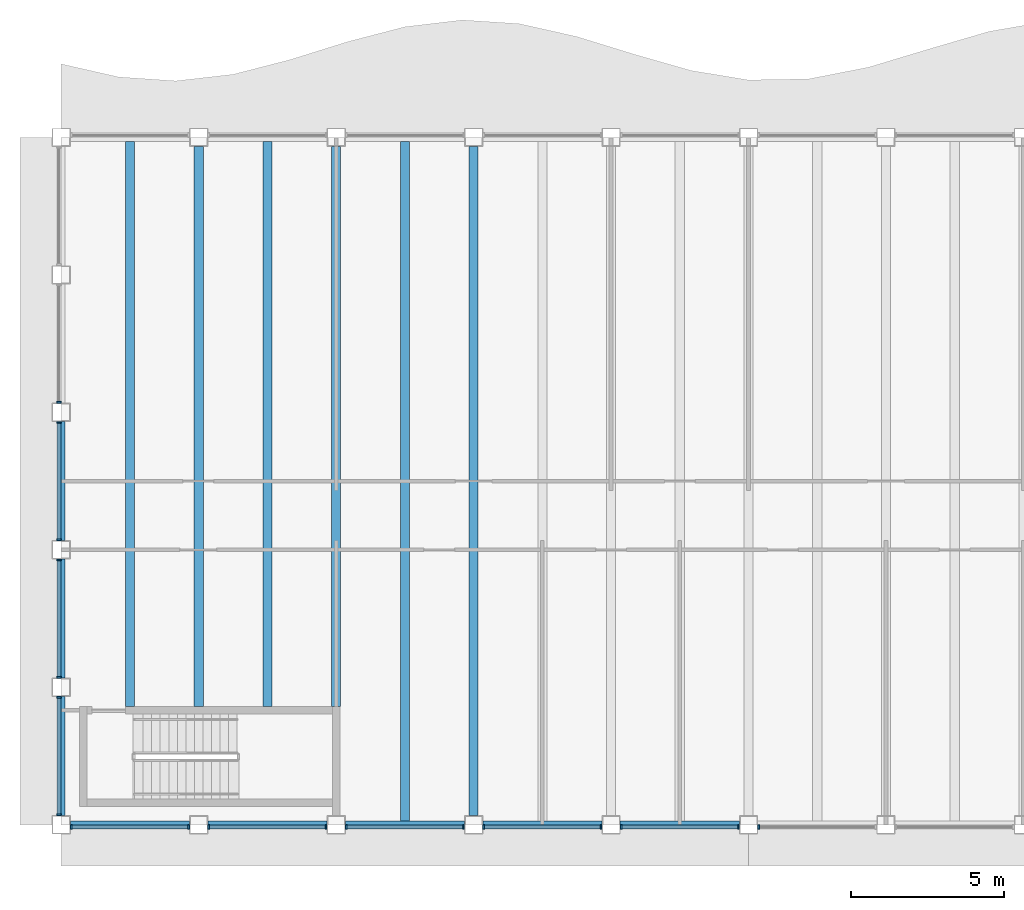
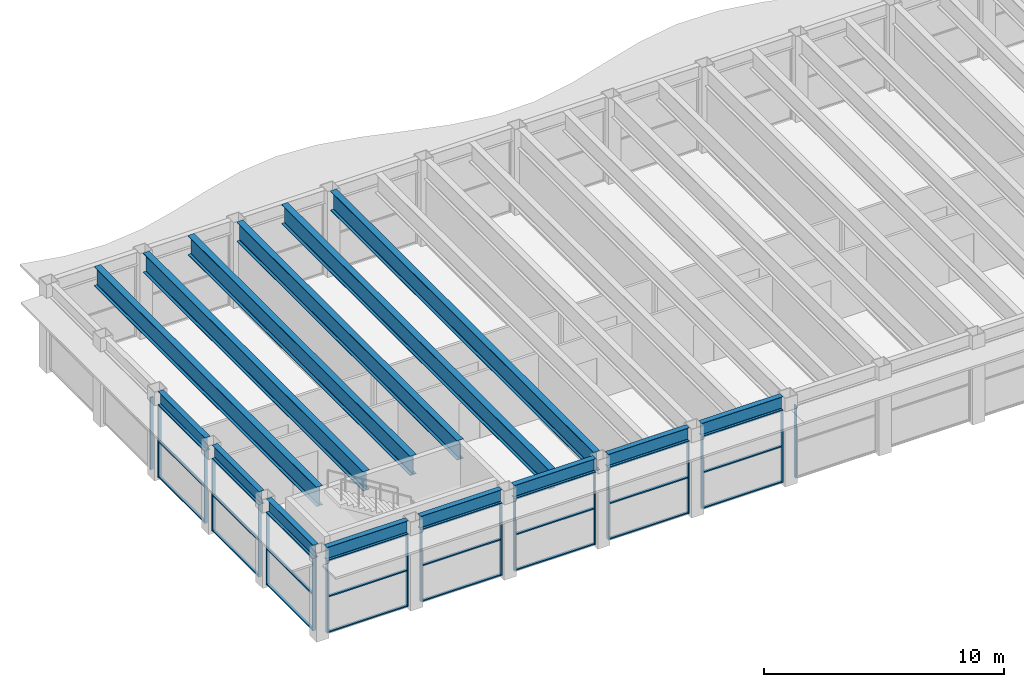
# One storey, part 2 of 14: 42 members, 14 beams, 10 elements without a shape of their own.
"""IFC4 building model written with IfcOpenShell, lengths in metres."""

from ifc_helpers import new_model, si_unit, direction, frame, origin, origin_2d, place, context, subcontext, project, spatial, rectangle, i_section, extrude, material, material_profile, profile_set, type_object, element, aggregate, save


model = new_model("IFC4")

# Units and contexts
model_context = context("Model", 3, precision=1e-05, world=origin(), true_north=direction((0.0, 1.0)))
body_context = subcontext(model_context, "Body", "Model", "MODEL_VIEW")
ifc_project = project(units=[si_unit("LENGTHUNIT", "METRE"), si_unit("AREAUNIT", "SQUARE_METRE"), si_unit("VOLUMEUNIT", "CUBIC_METRE"), si_unit("PLANEANGLEUNIT", "RADIAN"), si_unit("MASSUNIT", "GRAM", prefix="KILO")], contexts=[model_context])

# Site, building, storey
site_placement = place(None, origin())
site = spatial("IfcSite", under=ifc_project, at=site_placement, CompositionType="ELEMENT")
building_placement = place(site_placement, origin())
building = spatial("IfcBuilding", under=site, at=building_placement, Name="Sennacour Bend Tower", CompositionType="ELEMENT")
storey_placement = place(building_placement, frame((0.0, 0.0, 332.0)))
storey = spatial("IfcBuildingStorey", under=building, at=storey_placement, Name="L76", CompositionType="ELEMENT", Elevation=332.0)

# Curtain wall, members
ifc_material_1 = material(Name="Bronze anodised aluminium curtain wall with clear glass", Category="aluminium")
curtain_wall_type = type_object("IfcCurtainWallType", Name="CURTAIN WALL EXEC", PredefinedType="NOTDEFINED", material=ifc_material_1)
curtain_wall_1_placement = place(storey_placement, origin())
curtain_wall_1 = element("IfcCurtainWall", 1, at=curtain_wall_1_placement, inside=storey, type_object=curtain_wall_type, Name="Executive floor glass wall L76", PredefinedType="NOTDEFINED")
ifc_material_2 = material(Name="Aluminium 6063-T6", Category="aluminium")
ifc_material_profile_1 = material_profile(ifc_material_2, rectangle(XDim=0.14990234375, YDim=0.06005859375, at=origin_2d()), Name="Aluminium 6063-T6", Category="aluminium")
ifc_profile_set_1 = profile_set([ifc_material_profile_1], Name="Aluminium 6063-T6")
member_type_1 = type_object("IfcMemberType", Name="CW-MULLION-150X60", PredefinedType="MULLION", material=ifc_profile_set_1)
member_1_placement = place(storey_placement, frame((0.330078125, -0.074951171875, 0.0), z_axis=(0.0, 0.0, 1.0), x_axis=(0.0, 1.0, 0.0)))
member_1 = element("IfcMember", 2, at=member_1_placement, type_object=member_type_1, Name="GW3 curtain wall mullion 1", PredefinedType="MULLION", context=body_context, shape_type="SweptSolid", body=[
    extrude(rectangle(XDim=0.14990234375, YDim=0.06005859375, at=origin_2d()), origin(), (0.0, 0.0, 1.0), 3.672119140625),
])
member_2_placement = place(storey_placement, frame((4.169921875, -0.074951171875, 0.0), z_axis=(0.0, 0.0, 1.0), x_axis=(0.0, 1.0, 0.0)))
member_2 = element("IfcMember", 3, at=member_2_placement, type_object=member_type_1, Name="GW3 curtain wall mullion 2", PredefinedType="MULLION", context=body_context, shape_type="SweptSolid", body=[
    extrude(rectangle(XDim=0.14990234375, YDim=0.06005859375, at=origin_2d()), origin(), (0.0, 0.0, 1.0), 3.672119140625),
])

curtain_wall_2_placement = place(storey_placement, origin())
curtain_wall_2 = element("IfcCurtainWall", 4, at=curtain_wall_2_placement, inside=storey, type_object=curtain_wall_type, Name="Executive floor glass wall L76", PredefinedType="NOTDEFINED")
member_3_placement = place(storey_placement, frame((4.830078125, -0.074951171875, 0.0), z_axis=(0.0, 0.0, 1.0), x_axis=(0.0, 1.0, 0.0)))
member_3 = element("IfcMember", 5, at=member_3_placement, type_object=member_type_1, Name="GW3 curtain wall mullion 1", PredefinedType="MULLION", context=body_context, shape_type="SweptSolid", body=[
    extrude(rectangle(XDim=0.14990234375, YDim=0.06005859375, at=origin_2d()), origin(), (0.0, 0.0, 1.0), 3.672119140625),
])
member_4_placement = place(storey_placement, frame((8.669921875, -0.074951171875, 0.0), z_axis=(0.0, 0.0, 1.0), x_axis=(0.0, 1.0, 0.0)))
member_4 = element("IfcMember", 6, at=member_4_placement, type_object=member_type_1, Name="GW3 curtain wall mullion 2", PredefinedType="MULLION", context=body_context, shape_type="SweptSolid", body=[
    extrude(rectangle(XDim=0.14990234375, YDim=0.06005859375, at=origin_2d()), origin(), (0.0, 0.0, 1.0), 3.672119140625),
])

curtain_wall_3_placement = place(storey_placement, origin())
curtain_wall_3 = element("IfcCurtainWall", 7, at=curtain_wall_3_placement, inside=storey, type_object=curtain_wall_type, Name="Executive floor glass wall L76", PredefinedType="NOTDEFINED")
member_5_placement = place(storey_placement, frame((9.330078125, -0.074951171875, 0.0), z_axis=(0.0, 0.0, 1.0), x_axis=(0.0, 1.0, 0.0)))
member_5 = element("IfcMember", 8, at=member_5_placement, type_object=member_type_1, Name="GW3 curtain wall mullion 1", PredefinedType="MULLION", context=body_context, shape_type="SweptSolid", body=[
    extrude(rectangle(XDim=0.14990234375, YDim=0.06005859375, at=origin_2d()), origin(), (0.0, 0.0, 1.0), 3.672119140625),
])
member_6_placement = place(storey_placement, frame((13.169921875, -0.074951171875, 0.0), z_axis=(0.0, 0.0, 1.0), x_axis=(0.0, 1.0, 0.0)))
member_6 = element("IfcMember", 9, at=member_6_placement, type_object=member_type_1, Name="GW3 curtain wall mullion 2", PredefinedType="MULLION", context=body_context, shape_type="SweptSolid", body=[
    extrude(rectangle(XDim=0.14990234375, YDim=0.06005859375, at=origin_2d()), origin(), (0.0, 0.0, 1.0), 3.672119140625),
])

curtain_wall_4_placement = place(storey_placement, origin())
curtain_wall_4 = element("IfcCurtainWall", 10, at=curtain_wall_4_placement, inside=storey, type_object=curtain_wall_type, Name="Executive floor glass wall L76", PredefinedType="NOTDEFINED")
member_7_placement = place(storey_placement, frame((13.830078125, -0.074951171875, 0.0), z_axis=(0.0, 0.0, 1.0), x_axis=(0.0, 1.0, 0.0)))
member_7 = element("IfcMember", 11, at=member_7_placement, type_object=member_type_1, Name="GW3 curtain wall mullion 1", PredefinedType="MULLION", context=body_context, shape_type="SweptSolid", body=[
    extrude(rectangle(XDim=0.14990234375, YDim=0.06005859375, at=origin_2d()), origin(), (0.0, 0.0, 1.0), 3.672119140625),
])
member_8_placement = place(storey_placement, frame((17.669921875, -0.074951171875, 0.0), z_axis=(0.0, 0.0, 1.0), x_axis=(0.0, 1.0, 0.0)))
member_8 = element("IfcMember", 12, at=member_8_placement, type_object=member_type_1, Name="GW3 curtain wall mullion 2", PredefinedType="MULLION", context=body_context, shape_type="SweptSolid", body=[
    extrude(rectangle(XDim=0.14990234375, YDim=0.06005859375, at=origin_2d()), origin(), (0.0, 0.0, 1.0), 3.672119140625),
])

curtain_wall_5_placement = place(storey_placement, origin())
curtain_wall_5 = element("IfcCurtainWall", 13, at=curtain_wall_5_placement, inside=storey, type_object=curtain_wall_type, Name="Executive floor glass wall L76", PredefinedType="NOTDEFINED")
member_9_placement = place(storey_placement, frame((18.330078125, -0.074951171875, 0.0), z_axis=(0.0, 0.0, 1.0), x_axis=(0.0, 1.0, 0.0)))
member_9 = element("IfcMember", 14, at=member_9_placement, type_object=member_type_1, Name="GW3 curtain wall mullion 1", PredefinedType="MULLION", context=body_context, shape_type="SweptSolid", body=[
    extrude(rectangle(XDim=0.14990234375, YDim=0.06005859375, at=origin_2d()), origin(), (0.0, 0.0, 1.0), 3.672119140625),
])
member_10_placement = place(storey_placement, frame((22.169921875, -0.074951171875, 0.0), z_axis=(0.0, 0.0, 1.0), x_axis=(0.0, 1.0, 0.0)))
member_10 = element("IfcMember", 15, at=member_10_placement, type_object=member_type_1, Name="GW3 curtain wall mullion 2", PredefinedType="MULLION", context=body_context, shape_type="SweptSolid", body=[
    extrude(rectangle(XDim=0.14990234375, YDim=0.06005859375, at=origin_2d()), origin(), (0.0, 0.0, 1.0), 3.672119140625),
])

# Curtain wall, member
curtain_wall_6_placement = place(storey_placement, origin())
curtain_wall_6 = element("IfcCurtainWall", 16, at=curtain_wall_6_placement, inside=storey, type_object=curtain_wall_type, Name="Executive floor glass wall L76", PredefinedType="NOTDEFINED")
member_11_placement = place(storey_placement, frame((22.830078125, -0.074951171875, 0.0), z_axis=(0.0, 0.0, 1.0), x_axis=(0.0, 1.0, 0.0)))
member_11 = element("IfcMember", 17, at=member_11_placement, type_object=member_type_1, Name="GW3 curtain wall mullion 1", PredefinedType="MULLION", context=body_context, shape_type="SweptSolid", body=[
    extrude(rectangle(XDim=0.14990234375, YDim=0.06005859375, at=origin_2d()), origin(), (0.0, 0.0, 1.0), 3.672119140625),
])
aggregate(curtain_wall_6, [member_11])

curtain_wall_7_placement = place(storey_placement, origin())
curtain_wall_7 = element("IfcCurtainWall", 18, at=curtain_wall_7_placement, inside=storey, type_object=curtain_wall_type, Name="Executive floor glass wall L76", PredefinedType="NOTDEFINED")
member_12_placement = place(storey_placement, frame((-0.074951171875, 13.830078125, 0.0), z_axis=(0.0, 0.0, 1.0), x_axis=(1.0, 0.0, 0.0)))
member_12 = element("IfcMember", 19, at=member_12_placement, type_object=member_type_1, Name="GW3 curtain wall mullion 2", PredefinedType="MULLION", context=body_context, shape_type="SweptSolid", body=[
    extrude(rectangle(XDim=0.14990234375, YDim=0.06005859375, at=origin_2d()), origin(), (0.0, 0.0, 1.0), 3.672119140625),
])
aggregate(curtain_wall_7, [member_12])

# Curtain wall, members
curtain_wall_8_placement = place(storey_placement, origin())
curtain_wall_8 = element("IfcCurtainWall", 20, at=curtain_wall_8_placement, inside=storey, type_object=curtain_wall_type, Name="Executive floor glass wall L76", PredefinedType="NOTDEFINED")
member_13_placement = place(storey_placement, frame((-0.074951171875, 13.169921875, 0.0), z_axis=(0.0, 0.0, 1.0), x_axis=(1.0, 0.0, 0.0)))
member_13 = element("IfcMember", 21, at=member_13_placement, type_object=member_type_1, Name="GW3 curtain wall mullion 1", PredefinedType="MULLION", context=body_context, shape_type="SweptSolid", body=[
    extrude(rectangle(XDim=0.14990234375, YDim=0.06005859375, at=origin_2d()), origin(), (0.0, 0.0, 1.0), 3.672119140625),
])
member_14_placement = place(storey_placement, frame((-0.074951171875, 9.330078125, 0.0), z_axis=(0.0, 0.0, 1.0), x_axis=(1.0, 0.0, 0.0)))
member_14 = element("IfcMember", 22, at=member_14_placement, type_object=member_type_1, Name="GW3 curtain wall mullion 2", PredefinedType="MULLION", context=body_context, shape_type="SweptSolid", body=[
    extrude(rectangle(XDim=0.14990234375, YDim=0.06005859375, at=origin_2d()), origin(), (0.0, 0.0, 1.0), 3.672119140625),
])

curtain_wall_9_placement = place(storey_placement, origin())
curtain_wall_9 = element("IfcCurtainWall", 23, at=curtain_wall_9_placement, inside=storey, type_object=curtain_wall_type, Name="Executive floor glass wall L76", PredefinedType="NOTDEFINED")
member_15_placement = place(storey_placement, frame((-0.074951171875, 8.669921875, 0.0), z_axis=(0.0, 0.0, 1.0), x_axis=(1.0, 0.0, 0.0)))
member_15 = element("IfcMember", 24, at=member_15_placement, type_object=member_type_1, Name="GW3 curtain wall mullion 1", PredefinedType="MULLION", context=body_context, shape_type="SweptSolid", body=[
    extrude(rectangle(XDim=0.14990234375, YDim=0.06005859375, at=origin_2d()), origin(), (0.0, 0.0, 1.0), 3.672119140625),
])
member_16_placement = place(storey_placement, frame((-0.074951171875, 4.830078125, 0.0), z_axis=(0.0, 0.0, 1.0), x_axis=(1.0, 0.0, 0.0)))
member_16 = element("IfcMember", 25, at=member_16_placement, type_object=member_type_1, Name="GW3 curtain wall mullion 2", PredefinedType="MULLION", context=body_context, shape_type="SweptSolid", body=[
    extrude(rectangle(XDim=0.14990234375, YDim=0.06005859375, at=origin_2d()), origin(), (0.0, 0.0, 1.0), 3.672119140625),
])

curtain_wall_10_placement = place(storey_placement, origin())
curtain_wall_10 = element("IfcCurtainWall", 26, at=curtain_wall_10_placement, inside=storey, type_object=curtain_wall_type, Name="Executive floor glass wall L76", PredefinedType="NOTDEFINED")
member_17_placement = place(storey_placement, frame((-0.074951171875, 4.169921875, 0.0), z_axis=(0.0, 0.0, 1.0), x_axis=(1.0, 0.0, 0.0)))
member_17 = element("IfcMember", 27, at=member_17_placement, type_object=member_type_1, Name="GW3 curtain wall mullion 1", PredefinedType="MULLION", context=body_context, shape_type="SweptSolid", body=[
    extrude(rectangle(XDim=0.14990234375, YDim=0.06005859375, at=origin_2d()), origin(), (0.0, 0.0, 1.0), 3.672119140625),
])
member_18_placement = place(storey_placement, frame((-0.074951171875, 0.330078125, 0.0), z_axis=(0.0, 0.0, 1.0), x_axis=(1.0, 0.0, 0.0)))
member_18 = element("IfcMember", 28, at=member_18_placement, type_object=member_type_1, Name="GW3 curtain wall mullion 2", PredefinedType="MULLION", context=body_context, shape_type="SweptSolid", body=[
    extrude(rectangle(XDim=0.14990234375, YDim=0.06005859375, at=origin_2d()), origin(), (0.0, 0.0, 1.0), 3.672119140625),
])

# Member
ifc_material_profile_2 = material_profile(ifc_material_2, rectangle(XDim=0.1201171875, YDim=0.06005859375, at=origin_2d()), Name="Aluminium 6063-T6", Category="aluminium")
ifc_profile_set_2 = profile_set([ifc_material_profile_2], Name="Aluminium 6063-T6")
member_type_2 = type_object("IfcMemberType", Name="CW-TRANSOM-120X60", PredefinedType="USERDEFINED", material=ifc_profile_set_2)
member_19_placement = place(storey_placement, frame((0.360107421875, -0.074951171875, 0.030029296875), z_axis=(1.0, 0.0, 0.0), x_axis=(0.0, 1.0, 0.0)))
member_19 = element("IfcMember", 29, at=member_19_placement, type_object=member_type_2, Name="GW3 curtain wall transom 1.1", ObjectType="TRANSOM", PredefinedType="USERDEFINED", context=body_context, shape_type="SweptSolid", body=[
    extrude(rectangle(XDim=0.1201171875, YDim=0.06005859375, at=origin_2d()), origin(), (0.0, 0.0, 1.0), 3.77978515625),
])

member_20_placement = place(storey_placement, frame((0.360107421875, -0.074951171875, 1.8359375), z_axis=(1.0, 0.0, 0.0), x_axis=(0.0, 1.0, 0.0)))
member_20 = element("IfcMember", 30, at=member_20_placement, type_object=member_type_2, Name="GW3 curtain wall transom 1.2", ObjectType="TRANSOM", PredefinedType="USERDEFINED", context=body_context, shape_type="SweptSolid", body=[
    extrude(rectangle(XDim=0.1201171875, YDim=0.06005859375, at=origin_2d()), origin(), (0.0, 0.0, 1.0), 3.77978515625),
])

member_21_placement = place(storey_placement, frame((0.360107421875, -0.074951171875, 3.64208984375), z_axis=(1.0, 0.0, 0.0), x_axis=(0.0, 1.0, 0.0)))
member_21 = element("IfcMember", 31, at=member_21_placement, type_object=member_type_2, Name="GW3 curtain wall transom 1.3", ObjectType="TRANSOM", PredefinedType="USERDEFINED", context=body_context, shape_type="SweptSolid", body=[
    extrude(rectangle(XDim=0.1201171875, YDim=0.06005859375, at=origin_2d()), origin(), (0.0, 0.0, 1.0), 3.77978515625),
])

aggregate(curtain_wall_1, [member_1, member_2, member_19, member_20, member_21])

member_22_placement = place(storey_placement, frame((4.860107421875, -0.074951171875, 0.030029296875), z_axis=(1.0, 0.0, 0.0), x_axis=(0.0, 1.0, 0.0)))
member_22 = element("IfcMember", 32, at=member_22_placement, type_object=member_type_2, Name="GW3 curtain wall transom 1.1", ObjectType="TRANSOM", PredefinedType="USERDEFINED", context=body_context, shape_type="SweptSolid", body=[
    extrude(rectangle(XDim=0.1201171875, YDim=0.06005859375, at=origin_2d()), origin(), (0.0, 0.0, 1.0), 3.77978515625),
])

member_23_placement = place(storey_placement, frame((4.860107421875, -0.074951171875, 1.8359375), z_axis=(1.0, 0.0, 0.0), x_axis=(0.0, 1.0, 0.0)))
member_23 = element("IfcMember", 33, at=member_23_placement, type_object=member_type_2, Name="GW3 curtain wall transom 1.2", ObjectType="TRANSOM", PredefinedType="USERDEFINED", context=body_context, shape_type="SweptSolid", body=[
    extrude(rectangle(XDim=0.1201171875, YDim=0.06005859375, at=origin_2d()), origin(), (0.0, 0.0, 1.0), 3.77978515625),
])

member_24_placement = place(storey_placement, frame((4.860107421875, -0.074951171875, 3.64208984375), z_axis=(1.0, 0.0, 0.0), x_axis=(0.0, 1.0, 0.0)))
member_24 = element("IfcMember", 34, at=member_24_placement, type_object=member_type_2, Name="GW3 curtain wall transom 1.3", ObjectType="TRANSOM", PredefinedType="USERDEFINED", context=body_context, shape_type="SweptSolid", body=[
    extrude(rectangle(XDim=0.1201171875, YDim=0.06005859375, at=origin_2d()), origin(), (0.0, 0.0, 1.0), 3.77978515625),
])

aggregate(curtain_wall_2, [member_3, member_4, member_22, member_23, member_24])

member_25_placement = place(storey_placement, frame((9.360107421875, -0.074951171875, 0.030029296875), z_axis=(1.0, 0.0, 0.0), x_axis=(0.0, 1.0, 0.0)))
member_25 = element("IfcMember", 35, at=member_25_placement, type_object=member_type_2, Name="GW3 curtain wall transom 1.1", ObjectType="TRANSOM", PredefinedType="USERDEFINED", context=body_context, shape_type="SweptSolid", body=[
    extrude(rectangle(XDim=0.1201171875, YDim=0.06005859375, at=origin_2d()), origin(), (0.0, 0.0, 1.0), 3.77978515625),
])

member_26_placement = place(storey_placement, frame((9.360107421875, -0.074951171875, 1.8359375), z_axis=(1.0, 0.0, 0.0), x_axis=(0.0, 1.0, 0.0)))
member_26 = element("IfcMember", 36, at=member_26_placement, type_object=member_type_2, Name="GW3 curtain wall transom 1.2", ObjectType="TRANSOM", PredefinedType="USERDEFINED", context=body_context, shape_type="SweptSolid", body=[
    extrude(rectangle(XDim=0.1201171875, YDim=0.06005859375, at=origin_2d()), origin(), (0.0, 0.0, 1.0), 3.77978515625),
])

member_27_placement = place(storey_placement, frame((9.360107421875, -0.074951171875, 3.64208984375), z_axis=(1.0, 0.0, 0.0), x_axis=(0.0, 1.0, 0.0)))
member_27 = element("IfcMember", 37, at=member_27_placement, type_object=member_type_2, Name="GW3 curtain wall transom 1.3", ObjectType="TRANSOM", PredefinedType="USERDEFINED", context=body_context, shape_type="SweptSolid", body=[
    extrude(rectangle(XDim=0.1201171875, YDim=0.06005859375, at=origin_2d()), origin(), (0.0, 0.0, 1.0), 3.77978515625),
])

aggregate(curtain_wall_3, [member_5, member_6, member_25, member_26, member_27])

member_28_placement = place(storey_placement, frame((13.860107421875, -0.074951171875, 0.030029296875), z_axis=(1.0, 0.0, 0.0), x_axis=(0.0, 1.0, 0.0)))
member_28 = element("IfcMember", 38, at=member_28_placement, type_object=member_type_2, Name="GW3 curtain wall transom 1.1", ObjectType="TRANSOM", PredefinedType="USERDEFINED", context=body_context, shape_type="SweptSolid", body=[
    extrude(rectangle(XDim=0.1201171875, YDim=0.06005859375, at=origin_2d()), origin(), (0.0, 0.0, 1.0), 3.77978515625),
])

member_29_placement = place(storey_placement, frame((13.860107421875, -0.074951171875, 1.8359375), z_axis=(1.0, 0.0, 0.0), x_axis=(0.0, 1.0, 0.0)))
member_29 = element("IfcMember", 39, at=member_29_placement, type_object=member_type_2, Name="GW3 curtain wall transom 1.2", ObjectType="TRANSOM", PredefinedType="USERDEFINED", context=body_context, shape_type="SweptSolid", body=[
    extrude(rectangle(XDim=0.1201171875, YDim=0.06005859375, at=origin_2d()), origin(), (0.0, 0.0, 1.0), 3.77978515625),
])

member_30_placement = place(storey_placement, frame((13.860107421875, -0.074951171875, 3.64208984375), z_axis=(1.0, 0.0, 0.0), x_axis=(0.0, 1.0, 0.0)))
member_30 = element("IfcMember", 40, at=member_30_placement, type_object=member_type_2, Name="GW3 curtain wall transom 1.3", ObjectType="TRANSOM", PredefinedType="USERDEFINED", context=body_context, shape_type="SweptSolid", body=[
    extrude(rectangle(XDim=0.1201171875, YDim=0.06005859375, at=origin_2d()), origin(), (0.0, 0.0, 1.0), 3.77978515625),
])

aggregate(curtain_wall_4, [member_7, member_8, member_28, member_29, member_30])

member_31_placement = place(storey_placement, frame((18.360107421875, -0.074951171875, 0.030029296875), z_axis=(1.0, 0.0, 0.0), x_axis=(0.0, 1.0, 0.0)))
member_31 = element("IfcMember", 41, at=member_31_placement, type_object=member_type_2, Name="GW3 curtain wall transom 1.1", ObjectType="TRANSOM", PredefinedType="USERDEFINED", context=body_context, shape_type="SweptSolid", body=[
    extrude(rectangle(XDim=0.1201171875, YDim=0.06005859375, at=origin_2d()), origin(), (0.0, 0.0, 1.0), 3.77978515625),
])

member_32_placement = place(storey_placement, frame((18.360107421875, -0.074951171875, 1.8359375), z_axis=(1.0, 0.0, 0.0), x_axis=(0.0, 1.0, 0.0)))
member_32 = element("IfcMember", 42, at=member_32_placement, type_object=member_type_2, Name="GW3 curtain wall transom 1.2", ObjectType="TRANSOM", PredefinedType="USERDEFINED", context=body_context, shape_type="SweptSolid", body=[
    extrude(rectangle(XDim=0.1201171875, YDim=0.06005859375, at=origin_2d()), origin(), (0.0, 0.0, 1.0), 3.77978515625),
])

member_33_placement = place(storey_placement, frame((18.360107421875, -0.074951171875, 3.64208984375), z_axis=(1.0, 0.0, 0.0), x_axis=(0.0, 1.0, 0.0)))
member_33 = element("IfcMember", 43, at=member_33_placement, type_object=member_type_2, Name="GW3 curtain wall transom 1.3", ObjectType="TRANSOM", PredefinedType="USERDEFINED", context=body_context, shape_type="SweptSolid", body=[
    extrude(rectangle(XDim=0.1201171875, YDim=0.06005859375, at=origin_2d()), origin(), (0.0, 0.0, 1.0), 3.77978515625),
])

aggregate(curtain_wall_5, [member_9, member_10, member_31, member_32, member_33])

member_34_placement = place(storey_placement, frame((-0.074951171875, 13.139892578125, 0.030029296875), z_axis=(0.0, -1.0, 0.0), x_axis=(1.0, 0.0, 0.0)))
member_34 = element("IfcMember", 44, at=member_34_placement, type_object=member_type_2, Name="GW3 curtain wall transom 1.1", ObjectType="TRANSOM", PredefinedType="USERDEFINED", context=body_context, shape_type="SweptSolid", body=[
    extrude(rectangle(XDim=0.1201171875, YDim=0.06005859375, at=origin_2d()), origin(), (0.0, 0.0, 1.0), 3.77978515625),
])

member_35_placement = place(storey_placement, frame((-0.074951171875, 13.139892578125, 1.8359375), z_axis=(0.0, -1.0, 0.0), x_axis=(1.0, 0.0, 0.0)))
member_35 = element("IfcMember", 45, at=member_35_placement, type_object=member_type_2, Name="GW3 curtain wall transom 1.2", ObjectType="TRANSOM", PredefinedType="USERDEFINED", context=body_context, shape_type="SweptSolid", body=[
    extrude(rectangle(XDim=0.1201171875, YDim=0.06005859375, at=origin_2d()), origin(), (0.0, 0.0, 1.0), 3.77978515625),
])

member_36_placement = place(storey_placement, frame((-0.074951171875, 13.139892578125, 3.64208984375), z_axis=(0.0, -1.0, 0.0), x_axis=(1.0, 0.0, 0.0)))
member_36 = element("IfcMember", 46, at=member_36_placement, type_object=member_type_2, Name="GW3 curtain wall transom 1.3", ObjectType="TRANSOM", PredefinedType="USERDEFINED", context=body_context, shape_type="SweptSolid", body=[
    extrude(rectangle(XDim=0.1201171875, YDim=0.06005859375, at=origin_2d()), origin(), (0.0, 0.0, 1.0), 3.77978515625),
])

aggregate(curtain_wall_8, [member_13, member_14, member_34, member_35, member_36])

member_37_placement = place(storey_placement, frame((-0.074951171875, 8.639892578125, 0.030029296875), z_axis=(0.0, -1.0, 0.0), x_axis=(1.0, 0.0, 0.0)))
member_37 = element("IfcMember", 47, at=member_37_placement, type_object=member_type_2, Name="GW3 curtain wall transom 1.1", ObjectType="TRANSOM", PredefinedType="USERDEFINED", context=body_context, shape_type="SweptSolid", body=[
    extrude(rectangle(XDim=0.1201171875, YDim=0.06005859375, at=origin_2d()), origin(), (0.0, 0.0, 1.0), 3.77978515625),
])

member_38_placement = place(storey_placement, frame((-0.074951171875, 8.639892578125, 1.8359375), z_axis=(0.0, -1.0, 0.0), x_axis=(1.0, 0.0, 0.0)))
member_38 = element("IfcMember", 48, at=member_38_placement, type_object=member_type_2, Name="GW3 curtain wall transom 1.2", ObjectType="TRANSOM", PredefinedType="USERDEFINED", context=body_context, shape_type="SweptSolid", body=[
    extrude(rectangle(XDim=0.1201171875, YDim=0.06005859375, at=origin_2d()), origin(), (0.0, 0.0, 1.0), 3.77978515625),
])

member_39_placement = place(storey_placement, frame((-0.074951171875, 8.639892578125, 3.64208984375), z_axis=(0.0, -1.0, 0.0), x_axis=(1.0, 0.0, 0.0)))
member_39 = element("IfcMember", 49, at=member_39_placement, type_object=member_type_2, Name="GW3 curtain wall transom 1.3", ObjectType="TRANSOM", PredefinedType="USERDEFINED", context=body_context, shape_type="SweptSolid", body=[
    extrude(rectangle(XDim=0.1201171875, YDim=0.06005859375, at=origin_2d()), origin(), (0.0, 0.0, 1.0), 3.77978515625),
])

aggregate(curtain_wall_9, [member_15, member_16, member_37, member_38, member_39])

member_40_placement = place(storey_placement, frame((-0.074951171875, 4.139892578125, 0.030029296875), z_axis=(0.0, -1.0, 0.0), x_axis=(1.0, 0.0, 0.0)))
member_40 = element("IfcMember", 50, at=member_40_placement, type_object=member_type_2, Name="GW3 curtain wall transom 1.1", ObjectType="TRANSOM", PredefinedType="USERDEFINED", context=body_context, shape_type="SweptSolid", body=[
    extrude(rectangle(XDim=0.1201171875, YDim=0.06005859375, at=origin_2d()), origin(), (0.0, 0.0, 1.0), 3.77978515625),
])

member_41_placement = place(storey_placement, frame((-0.074951171875, 4.139892578125, 1.8359375), z_axis=(0.0, -1.0, 0.0), x_axis=(1.0, 0.0, 0.0)))
member_41 = element("IfcMember", 51, at=member_41_placement, type_object=member_type_2, Name="GW3 curtain wall transom 1.2", ObjectType="TRANSOM", PredefinedType="USERDEFINED", context=body_context, shape_type="SweptSolid", body=[
    extrude(rectangle(XDim=0.1201171875, YDim=0.06005859375, at=origin_2d()), origin(), (0.0, 0.0, 1.0), 3.77978515625),
])

member_42_placement = place(storey_placement, frame((-0.074951171875, 4.139892578125, 3.64208984375), z_axis=(0.0, -1.0, 0.0), x_axis=(1.0, 0.0, 0.0)))
member_42 = element("IfcMember", 52, at=member_42_placement, type_object=member_type_2, Name="GW3 curtain wall transom 1.3", ObjectType="TRANSOM", PredefinedType="USERDEFINED", context=body_context, shape_type="SweptSolid", body=[
    extrude(rectangle(XDim=0.1201171875, YDim=0.06005859375, at=origin_2d()), origin(), (0.0, 0.0, 1.0), 3.77978515625),
])

aggregate(curtain_wall_10, [member_17, member_18, member_40, member_41, member_42])

# Beams
ifc_material_3 = material(Name="Steel ASTM A992 Grade 50", Category="steel")
ifc_material_profile_3 = material_profile(ifc_material_3, i_section(OverallWidth=0.300048828125, OverallDepth=0.990966796875, WebThickness=0.0166015625, FlangeThickness=0.030517578125, FilletRadius=0.030029296875, at=origin_2d()), Name="Steel ASTM A992 Grade 50", Category="steel")
ifc_profile_set_3 = profile_set([ifc_material_profile_3], Name="Steel ASTM A992 Grade 50")
beam_type_1 = type_object("IfcBeamType", Name="Floor beam W1000X272", PredefinedType="BEAM", material=ifc_profile_set_3)
beam_1_placement = place(storey_placement, frame((2.25, 3.875, 3.8544921875), z_axis=(0.0, 1.0, 0.0), x_axis=(-1.0, 0.0, 0.0)))
element("IfcBeam", 53, at=beam_1_placement, inside=storey, type_object=beam_type_1, Name="Floor beam FBM3 L77-001", PredefinedType="BEAM", context=body_context, shape_type="SweptSolid", body=[
    extrude(i_section(OverallWidth=0.300048828125, OverallDepth=0.990966796875, WebThickness=0.0166015625, FlangeThickness=0.030517578125, FilletRadius=0.030029296875, at=origin_2d()), origin(), (0.0, 0.0, 1.0), 18.498046875),
])
beam_2_placement = place(storey_placement, frame((4.5, 3.875, 3.8544921875), z_axis=(0.0, 1.0, 0.0), x_axis=(-1.0, 0.0, 0.0)))
element("IfcBeam", 54, at=beam_2_placement, inside=storey, type_object=beam_type_1, Name="Floor beam FBM3 L77-002", PredefinedType="BEAM", context=body_context, shape_type="SweptSolid", body=[
    extrude(i_section(OverallWidth=0.300048828125, OverallDepth=0.990966796875, WebThickness=0.0166015625, FlangeThickness=0.030517578125, FilletRadius=0.030029296875, at=origin_2d()), origin(), (0.0, 0.0, 1.0), 18.324951171875),
])
beam_3_placement = place(storey_placement, frame((6.75, 3.875, 3.8544921875), z_axis=(0.0, 1.0, 0.0), x_axis=(-1.0, 0.0, 0.0)))
element("IfcBeam", 55, at=beam_3_placement, inside=storey, type_object=beam_type_1, Name="Floor beam FBM3 L77-003", PredefinedType="BEAM", context=body_context, shape_type="SweptSolid", body=[
    extrude(i_section(OverallWidth=0.300048828125, OverallDepth=0.990966796875, WebThickness=0.0166015625, FlangeThickness=0.030517578125, FilletRadius=0.030029296875, at=origin_2d()), origin(), (0.0, 0.0, 1.0), 18.498046875),
])
beam_4_placement = place(storey_placement, frame((9.0, 3.875, 3.8544921875), z_axis=(0.0, 1.0, 0.0), x_axis=(-1.0, 0.0, 0.0)))
element("IfcBeam", 56, at=beam_4_placement, inside=storey, type_object=beam_type_1, Name="Floor beam FBM3 L77-004", PredefinedType="BEAM", context=body_context, shape_type="SweptSolid", body=[
    extrude(i_section(OverallWidth=0.300048828125, OverallDepth=0.990966796875, WebThickness=0.0166015625, FlangeThickness=0.030517578125, FilletRadius=0.030029296875, at=origin_2d()), origin(), (0.0, 0.0, 1.0), 18.324951171875),
])
beam_5_placement = place(storey_placement, frame((11.25, 0.126953125, 3.8544921875), z_axis=(0.0, 1.0, 0.0), x_axis=(-1.0, 0.0, 0.0)))
element("IfcBeam", 57, at=beam_5_placement, inside=storey, type_object=beam_type_1, Name="Floor beam FBM3 L77-005", PredefinedType="BEAM", context=body_context, shape_type="SweptSolid", body=[
    extrude(i_section(OverallWidth=0.300048828125, OverallDepth=0.990966796875, WebThickness=0.0166015625, FlangeThickness=0.030517578125, FilletRadius=0.030029296875, at=origin_2d()), origin(), (0.0, 0.0, 1.0), 22.24609375),
])
beam_6_placement = place(storey_placement, frame((13.5, 0.300048828125, 3.8544921875), z_axis=(0.0, 1.0, 0.0), x_axis=(-1.0, 0.0, 0.0)))
element("IfcBeam", 58, at=beam_6_placement, inside=storey, type_object=beam_type_1, Name="Floor beam FBM3 L77-006", PredefinedType="BEAM", context=body_context, shape_type="SweptSolid", body=[
    extrude(i_section(OverallWidth=0.300048828125, OverallDepth=0.990966796875, WebThickness=0.0166015625, FlangeThickness=0.030517578125, FilletRadius=0.030029296875, at=origin_2d()), origin(), (0.0, 0.0, 1.0), 21.89990234375),
])
ifc_material_profile_4 = material_profile(ifc_material_3, i_section(OverallWidth=0.25390625, OverallDepth=0.677978515625, WebThickness=0.01171875, FlangeThickness=0.016357421875, FilletRadius=0.01513671875, at=origin_2d()), Name="Steel ASTM A992 Grade 50", Category="steel")
ifc_profile_set_4 = profile_set([ifc_material_profile_4], Name="Steel ASTM A992 Grade 50")
beam_type_2 = type_object("IfcBeamType", Name="Spandrel beam W690X125", PredefinedType="SPANDREL", material=ifc_profile_set_4)
for number, where, z_axis, x_axis, name in (
    (59, (0.0, 0.300048828125, 4.010986328125), (0.0, 1.0, 0.0), (-1.0, 0.0, 0.0), "Spandrel beam SP7 L77-001"),
    (60, (0.0, 4.800048828125, 4.010986328125), (0.0, 1.0, 0.0), (-1.0, 0.0, 0.0), "Spandrel beam SP7 L77-002"),
    (61, (0.0, 9.300048828125, 4.010986328125), (0.0, 1.0, 0.0), (-1.0, 0.0, 0.0), "Spandrel beam SP7 L77-003"),
    (62, (22.199951171875, 0.0, 4.010986328125), (-1.0, 0.0, 0.0), (0.0, -1.0, 0.0), "Spandrel beam SP7 L77-025"),
    (63, (17.699951171875, 0.0, 4.010986328125), (-1.0, 0.0, 0.0), (0.0, -1.0, 0.0), "Spandrel beam SP7 L77-026"),
    (64, (13.199951171875, 0.0, 4.010986328125), (-1.0, 0.0, 0.0), (0.0, -1.0, 0.0), "Spandrel beam SP7 L77-027"),
    (65, (8.699951171875, 0.0, 4.010986328125), (-1.0, 0.0, 0.0), (0.0, -1.0, 0.0), "Spandrel beam SP7 L77-028"),
    (66, (4.199951171875, 0.0, 4.010986328125), (-1.0, 0.0, 0.0), (0.0, -1.0, 0.0), "Spandrel beam SP7 L77-029"),
):
    element("IfcBeam", number, at=place(storey_placement, frame(where, z_axis=z_axis, x_axis=x_axis)), inside=storey, type_object=beam_type_2, Name=name, PredefinedType="SPANDREL", context=body_context, shape_type="SweptSolid", body=[
        extrude(i_section(OverallWidth=0.25390625, OverallDepth=0.677978515625, WebThickness=0.01171875, FlangeThickness=0.016357421875, FilletRadius=0.01513671875, at=origin_2d()), origin(), (0.0, 0.0, 1.0), 3.89990234375),
    ])

save(model, "model.ifc")
